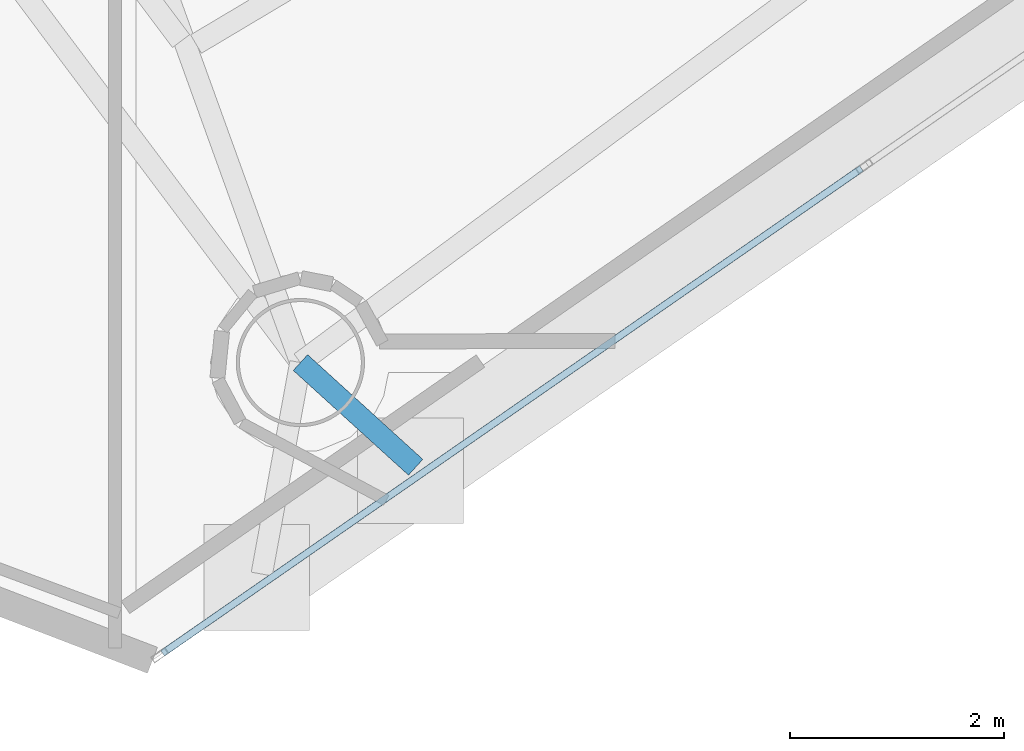
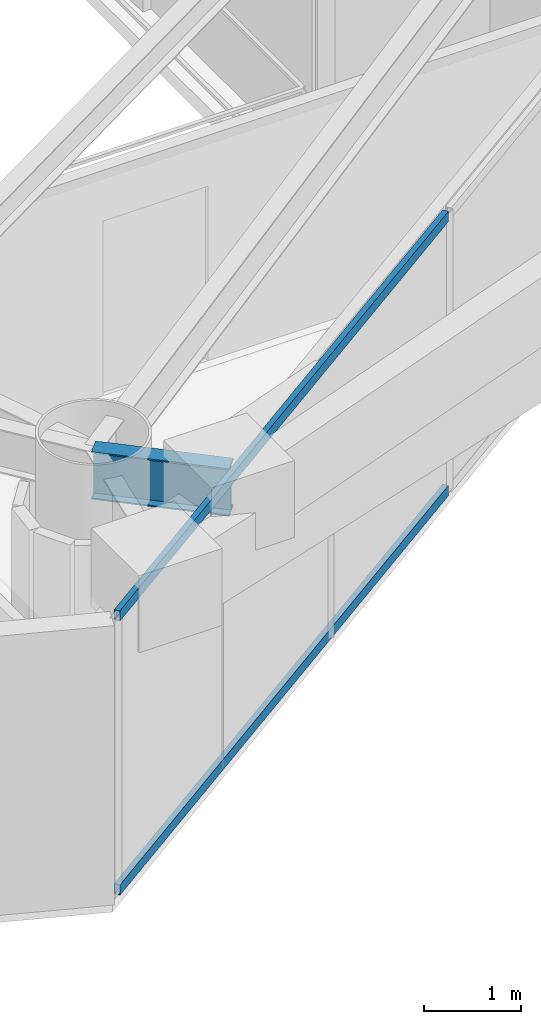
# One storey, part 3 of 23: 2 members, 1 beam, 1 element without a shape of its own.
"""IFC4 building model written with IfcOpenShell, lengths in metres."""

from ifc_helpers import new_model, si_unit, direction, frame, origin, origin_2d, place, context, subcontext, project, spatial, hollow_rectangle, i_section, extrude, material, layer, layer_set, material_profile, profile_set, type_object, element, aggregate, save


model = new_model("IFC4")

# Units and contexts
model_context = context("Model", 3, precision=1e-05, world=origin(), true_north=direction((0.0, 1.0)))
body_context = subcontext(model_context, "Body", "Model", "MODEL_VIEW")
ifc_project = project(units=[si_unit("LENGTHUNIT", "METRE"), si_unit("AREAUNIT", "SQUARE_METRE"), si_unit("VOLUMEUNIT", "CUBIC_METRE"), si_unit("PLANEANGLEUNIT", "RADIAN"), si_unit("MASSUNIT", "GRAM", prefix="KILO")], contexts=[model_context])

# Site, building, storey
site_placement = place(None, origin())
site = spatial("IfcSite", under=ifc_project, at=site_placement, CompositionType="ELEMENT")
building_placement = place(site_placement, origin())
building = spatial("IfcBuilding", under=site, at=building_placement, Name="Qianvela Tower", CompositionType="ELEMENT")
storey_placement = place(building_placement, frame((0.0, 0.0, 192.89990234375)))
storey = spatial("IfcBuildingStorey", under=building, at=storey_placement, Name="L49", CompositionType="ELEMENT", Elevation=192.89990234375)

# Beam
ifc_material_1 = material(Name="Steel Q355B", Category="steel")
ifc_material_profile_1 = material_profile(ifc_material_1, i_section(OverallWidth=0.199951171875, OverallDepth=0.60009765625, WebThickness=0.010986328125, FlangeThickness=0.01708984375, at=origin_2d()), Name="HN600x200x11x17")
ifc_profile_set_1 = profile_set([ifc_material_profile_1], Name="Steel Q355B")
beam_type = type_object("IfcBeamType", Name="BM-HN600-GIRD", PredefinedType="BEAM", material=ifc_profile_set_1)
beam_placement = place(storey_placement, frame((33.4130859375, 10.531005859375, 3.218017578125), z_axis=(0.740068973718, -0.672530976343, 0.0), x_axis=(0.672530976343, 0.740068973718, 0.0)))
element("IfcBeam", 1, at=beam_placement, inside=storey, type_object=beam_type, Name="L49 Mega-Brace Column Tie Bracket F3-2", PredefinedType="BEAM", context=body_context, shape_type="SweptSolid", body=[
    extrude(i_section(OverallWidth=0.199951171875, OverallDepth=0.60009765625, WebThickness=0.010986328125, FlangeThickness=0.01708984375, at=origin_2d()), origin(), (0.0, 0.0, 1.0), 1.456787109375),
])

# Curtain wall, members
ifc_material_2 = material(Name="Anodised Architectural Aluminium and Insulated Spandrel Panel", Category="aluminium")
ifc_layer = layer(ifc_material_2, 0.179931640625)
ifc_layer_set = layer_set([ifc_layer], Name="Anodised Architectural Aluminium and Insulated Spandrel Panel")
curtain_wall_type = type_object("IfcCurtainWallType", Name="CW-BRACEBAY", PredefinedType="USERDEFINED", material=ifc_layer_set)
curtain_wall_placement = place(storey_placement, origin())
curtain_wall = element("IfcCurtainWall", 2, at=curtain_wall_placement, inside=storey, type_object=curtain_wall_type, Name="L49 CW-BRACEBAY Curtain Wall 06A", ObjectType="CURTAIN_WALL_SYSTEM", PredefinedType="USERDEFINED")
ifc_material_3 = material(Name="Anodised Architectural Aluminium 6063-T6", Category="aluminium")
ifc_material_profile_2 = material_profile(ifc_material_3, hollow_rectangle(XDim=0.06494140625, YDim=0.1298828125, WallThickness=0.00439453125, at=origin_2d()), Name="ALU-TRAN-65x130")
ifc_profile_set_2 = profile_set([ifc_material_profile_2], Name="Anodised Architectural Aluminium 6063-T6")
member_type = type_object("IfcMemberType", Name="CW-BRACEBAY-TRAN", PredefinedType="USERDEFINED", material=ifc_profile_set_2)
member_1_placement = place(storey_placement, frame((32.123291015625, 7.81103515625, 0.03271484375), z_axis=(0.821631807813, 0.57001857197, 0.0), x_axis=(-0.57001857197, 0.821631807813, 0.0)))
member_1 = element("IfcMember", 3, at=member_1_placement, type_object=member_type, Name="CW-9 transom 1.1", ObjectType="TRANSOM", PredefinedType="USERDEFINED", context=body_context, shape_type="SweptSolid", body=[
    extrude(hollow_rectangle(XDim=0.06494140625, YDim=0.1298828125, WallThickness=0.00439453125, at=origin_2d()), origin(), (0.0, 0.0, 1.0), 7.95751953125),
])
member_2_placement = place(storey_placement, frame((32.123291015625, 7.81103515625, 3.487548828125), z_axis=(0.821631807813, 0.57001857197, 0.0), x_axis=(-0.57001857197, 0.821631807813, 0.0)))
member_2 = element("IfcMember", 4, at=member_2_placement, type_object=member_type, Name="CW-9 transom 1.2", ObjectType="TRANSOM", PredefinedType="USERDEFINED", context=body_context, shape_type="SweptSolid", body=[
    extrude(hollow_rectangle(XDim=0.06494140625, YDim=0.1298828125, WallThickness=0.00439453125, at=origin_2d()), origin(), (0.0, 0.0, 1.0), 7.95751953125),
])
aggregate(curtain_wall, [member_1, member_2])

save(model, "model.ifc")
